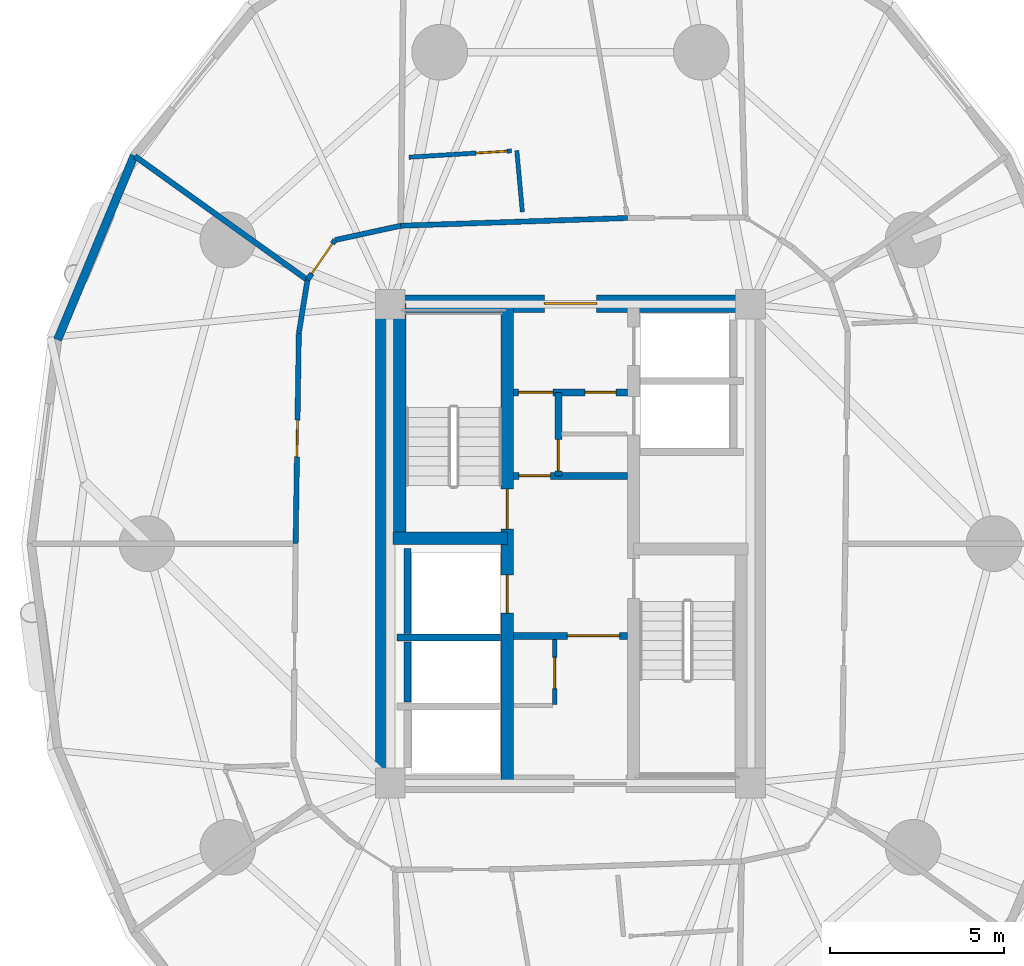
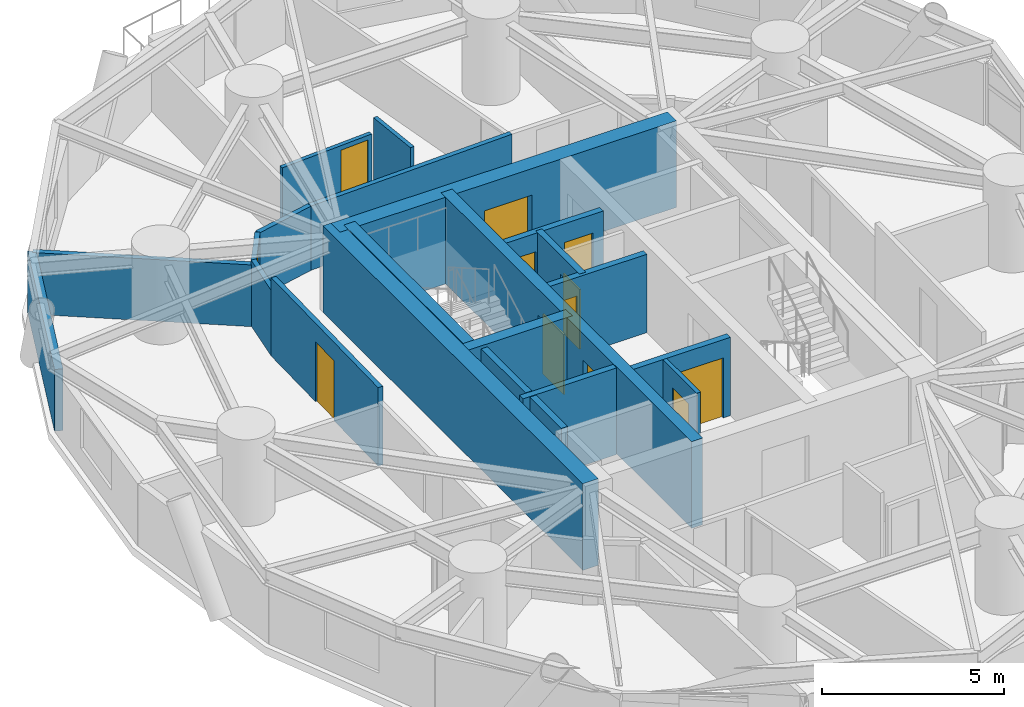
# One storey, part 10 of 19: 22 walls, 12 doors, 12 openings.
"""IFC4 building model written with IfcOpenShell, lengths in metres."""

from ifc_helpers import new_model, si_unit, direction, frame, frame_2d, origin, place, context, subcontext, project, spatial, rectangle, extrude, source, transform, mapped, material, layer, layer_set, type_object, element, fill, save


model = new_model("IFC4")

# Units and contexts
model_context = context("Model", 3, precision=1e-05, world=origin(), true_north=direction((0.0, 1.0)))
body_context = subcontext(model_context, "Body", "Model", "MODEL_VIEW")
ifc_project = project(units=[si_unit("LENGTHUNIT", "METRE"), si_unit("AREAUNIT", "SQUARE_METRE"), si_unit("VOLUMEUNIT", "CUBIC_METRE"), si_unit("PLANEANGLEUNIT", "RADIAN"), si_unit("MASSUNIT", "GRAM", prefix="KILO")], contexts=[model_context])

# Site, building, storey
site_placement = place(None, origin())
site = spatial("IfcSite", under=ifc_project, at=site_placement, CompositionType="ELEMENT")
building_placement = place(site_placement, origin())
building = spatial("IfcBuilding", under=site, at=building_placement, Name="Cununo Teusaquillo Station Towers", CompositionType="ELEMENT")
storey_placement = place(building_placement, frame((0.0, 0.0, 33.639892578125)))
storey = spatial("IfcBuildingStorey", under=building, at=storey_placement, Name="L09", CompositionType="ELEMENT", Elevation=33.639892578125)

# Walls
ifc_material_1 = material(Name="Concrete C50/60", Category="concrete")
ifc_layer_1 = layer(ifc_material_1, 0.199951171875)
ifc_layer_set_1 = layer_set([ifc_layer_1], Name="Concrete C50/60")
wall_type_1 = type_object("IfcWallType", Name="WL-CORE-200", PredefinedType="SHEAR", material=ifc_layer_set_1)
wall_1_placement = place(storey_placement, frame((11.52001953125, 21.800048828125, 0.0), z_axis=(0.0, 0.0, 1.0), x_axis=(1.0, 0.0, 0.0)))
element("IfcWall", 1, at=wall_1_placement, inside=storey, type_object=wall_type_1, Name="L09 Tower A Firefighting Lift Shaft South Shear Wall", PredefinedType="SHEAR", context=body_context, shape_type="SweptSolid", body=[
    extrude(rectangle(XDim=2.969970703125, YDim=0.199951171875, at=frame_2d((1.48486328125, 0.0))), origin(), (0.0, 0.0, 1.0), 2.91015625),
])
wall_2_placement = place(storey_placement, frame((11.820068359375, 21.919921875, 0.0), z_axis=(0.0, 0.0, 1.0), x_axis=(0.0, 1.0, 0.0)))
element("IfcWall", 2, at=wall_2_placement, inside=storey, type_object=wall_type_1, Name="L09 Tower A Firefighting Lift Shaft Rear Shear Wall", PredefinedType="SHEAR", context=body_context, shape_type="SweptSolid", body=[
    extrude(rectangle(XDim=2.440185546875, YDim=0.199951171875, at=frame_2d((1.22021484375, 0.0))), origin(), (0.0, 0.0, 1.0), 2.91015625),
])
wall_3_placement = place(storey_placement, frame((11.820068359375, 19.945068359375, 0.0), z_axis=(0.0, 0.0, 1.0), x_axis=(0.0, 1.0, 0.0)))
element("IfcWall", 3, at=wall_3_placement, inside=storey, type_object=wall_type_1, Name="L09 Tower A High-Rise Lift 2 Shaft Rear Shear Wall", PredefinedType="SHEAR", context=body_context, shape_type="SweptSolid", body=[
    extrude(rectangle(XDim=1.73486328125, YDim=0.199951171875, at=frame_2d((0.867431640625, 0.0))), origin(), (0.0, 0.0, 1.0), 2.91015625),
])

# Wall, openings, doors
ifc_material_2 = material(Name="Concrete C50/60", Category="concrete")
ifc_layer_2 = layer(ifc_material_2, 0.35009765625)
ifc_layer_set_2 = layer_set([ifc_layer_2], Name="Concrete C50/60")
wall_type_2 = type_object("IfcWallType", Name="WL-CORE-350", PredefinedType="SHEAR", material=ifc_layer_set_2)
wall_4_placement = place(storey_placement, frame((14.68505859375, 17.60009765625, 0.0), z_axis=(0.0, 0.0, 1.0), x_axis=(0.0, 1.0, 0.0)))
wall_4 = element("IfcWall", 4, at=wall_4_placement, inside=storey, type_object=wall_type_2, Name="L09 Tower A Core Shear Wall IW", PredefinedType="SHEAR", context=body_context, shape_type="SweptSolid", body=[
    extrude(rectangle(XDim=13.7998046875, YDim=0.35009765625, at=frame_2d((6.89990234375, 0.0))), origin(), (0.0, 0.0, 1.0), 2.91015625),
])
shared_shape_1 = source(origin(), body_context, "Body", "SweptSolid", [
    extrude(rectangle(XDim=1.10009765625, YDim=2.014892578125, at=frame_2d((0.550048828125, 1.00732421875))), frame((0.0, 0.18505859375, 0.0), z_axis=(0.0, -1.0, 0.0), x_axis=(1.0, 0.0, 0.0)), (0.0, 0.0, 1.0), 0.3701171875),
])
opening_1_placement = place(wall_4_placement, frame((4.89990234375, 0.0, 0.0)))
opening_1 = element("IfcOpeningElement", 5, at=opening_1_placement, cuts=wall_4, Name="Opening LD-01", PredefinedType="OPENING", context=body_context, shape_type="MappedRepresentation", body=[
    mapped(shared_shape_1, transform((0.0, 0.0, 0.0), x_axis=(1.0, 0.0, 0.0), y_axis=(0.0, 1.0, 0.0), z_axis=(0.0, 0.0, 1.0), scale=1.0)),
])
shared_shape_2 = source(origin(), body_context, "Body", "SweptSolid", [
    extrude(rectangle(XDim=1.14990234375, YDim=2.02001953125, at=frame_2d((0.574951171875, 1.010009765625))), frame((0.0, 0.18505859375, 0.0), z_axis=(0.0, -1.0, 0.0), x_axis=(1.0, 0.0, 0.0)), (0.0, 0.0, 1.0), 0.3701171875),
])
opening_2_placement = place(wall_4_placement, frame((7.320068359375, 0.0, 0.0)))
opening_2 = element("IfcOpeningElement", 6, at=opening_2_placement, cuts=wall_4, Name="Opening D-ST1", PredefinedType="OPENING", context=body_context, shape_type="MappedRepresentation", body=[
    mapped(shared_shape_2, transform((0.0, 0.0, 0.0), x_axis=(1.0, 0.0, 0.0), y_axis=(0.0, 1.0, 0.0), z_axis=(0.0, 0.0, 1.0), scale=1.0)),
])
ifc_material_3 = material(Name="Galvanised fire-rated hollow steel door assembly", Category="steel")
door_type_1 = type_object("IfcDoorType", Name="DR-LIFT-1100", OperationType="SLIDING_TO_LEFT", PredefinedType="DOOR", material=ifc_material_3)
shared_shape_3 = source(origin(), body_context, "Body", "SweptSolid", [
    extrude(rectangle(XDim=1.10009765625, YDim=2.014892578125, at=frame_2d((0.550048828125, 1.00732421875))), frame((0.0, 0.02490234375, 0.0), z_axis=(0.0, -1.0, 0.0), x_axis=(1.0, 0.0, 0.0)), (0.0, 0.0, 1.0), 0.050048828125),
])
door_1_placement = place(opening_1_placement, origin())
door_1 = element("IfcDoor", 7, at=door_1_placement, inside=storey, type_object=door_type_1, Name="L09 Lift FL-T1 Sliding Landing Door", OperationType="SLIDING_TO_RIGHT", OverallHeight=2.014892578125, OverallWidth=1.10009765625, PredefinedType="DOOR", context=body_context, shape_type="MappedRepresentation", body=[
    mapped(shared_shape_3, transform((0.0, 0.0, 0.0), x_axis=(1.0, 0.0, 0.0), y_axis=(0.0, 1.0, 0.0), z_axis=(0.0, 0.0, 1.0), scale=1.0)),
])
fill(opening_1, door_1)
ifc_material_4 = material(Name="Galvanised fire-rated hollow steel door assembly", Category="steel")
door_type_2 = type_object("IfcDoorType", Name="DR-STAIR-1150", OperationType="NOTDEFINED", PredefinedType="DOOR", material=ifc_material_4)
shared_shape_4 = source(origin(), body_context, "Body", "SweptSolid", [
    extrude(rectangle(XDim=1.14990234375, YDim=2.02001953125, at=frame_2d((0.574951171875, 1.010009765625))), frame((0.0, 0.02490234375, 0.0), z_axis=(0.0, -1.0, 0.0), x_axis=(1.0, 0.0, 0.0)), (0.0, 0.0, 1.0), 0.050048828125),
])
door_2_placement = place(opening_2_placement, origin())
door_2 = element("IfcDoor", 8, at=door_2_placement, inside=storey, type_object=door_type_2, Name="L09 Tower A Exit Stair 1 Fire Door", OperationType="SINGLE_SWING_RIGHT", OverallHeight=2.02001953125, OverallWidth=1.14990234375, PredefinedType="DOOR", context=body_context, shape_type="MappedRepresentation", body=[
    mapped(shared_shape_4, transform((0.0, 0.0, 0.0), x_axis=(1.0, 0.0, 0.0), y_axis=(0.0, 1.0, 0.0), z_axis=(0.0, 0.0, 1.0), scale=1.0)),
])
fill(opening_2, door_2)

# Walls
wall_5_placement = place(storey_placement, frame((11.594970703125, 24.655029296875, 0.0), z_axis=(0.0, 0.0, 1.0), x_axis=(0.0, 1.0, 0.0)))
element("IfcWall", 9, at=wall_5_placement, inside=storey, type_object=wall_type_2, Name="L09 Tower A Core Shear Wall ST1W", PredefinedType="SHEAR", context=body_context, shape_type="SweptSolid", body=[
    extrude(rectangle(XDim=6.744873046875, YDim=0.35009765625, at=frame_2d((3.37255859375, 0.0))), origin(), (0.0, 0.0, 1.0), 2.91015625),
])
wall_6_placement = place(storey_placement, frame((11.39990234375, 24.655029296875, 0.0), z_axis=(0.0, 0.0, 1.0), x_axis=(1.0, 0.0, 0.0)))
element("IfcWall", 10, at=wall_6_placement, inside=storey, type_object=wall_type_2, Name="L09 Tower A Core Shear Wall ST1S", PredefinedType="SHEAR", context=body_context, shape_type="SweptSolid", body=[
    extrude(rectangle(XDim=3.28515625, YDim=0.35009765625, at=frame_2d((1.642578125, 0.0))), origin(), (0.0, 0.0, 1.0), 2.91015625),
])
ifc_material_5 = material(Name="Concrete C60/75", Category="concrete")
ifc_layer_3 = layer(ifc_material_5, 0.5)
ifc_layer_set_3 = layer_set([ifc_layer_3], Name="Concrete C60/75")
wall_type_3 = type_object("IfcWallType", Name="WL-CORE-500", PredefinedType="SHEAR", material=ifc_layer_set_3)
wall_7_placement = place(storey_placement, frame((11.14990234375, 17.35009765625, 0.0), z_axis=(0.0, 0.0, 1.0), x_axis=(0.0, 1.0, 0.0)))
element("IfcWall", 11, at=wall_7_placement, inside=storey, type_object=wall_type_3, Name="L09 Tower A Core Shear Wall W", PredefinedType="SHEAR", context=body_context, shape_type="SweptSolid", body=[
    extrude(rectangle(XDim=14.2998046875, YDim=0.5, at=frame_2d((7.14990234375, 0.0))), origin(), (0.0, 0.0, 1.0), 2.91015625),
])

# Wall, opening, door
wall_8_placement = place(storey_placement, frame((11.14990234375, 31.39990234375, 0.0), z_axis=(0.0, 0.0, 1.0), x_axis=(1.0, 0.0, 0.0)))
wall_8 = element("IfcWall", 12, at=wall_8_placement, inside=storey, type_object=wall_type_3, Name="L09 Tower A Core Shear Wall N", PredefinedType="SHEAR", context=body_context, shape_type="SweptSolid", body=[
    extrude(rectangle(XDim=10.7001953125, YDim=0.5, at=frame_2d((5.35009765625, 0.0))), origin(), (0.0, 0.0, 1.0), 2.91015625),
])
shared_shape_5 = source(origin(), body_context, "Body", "SweptSolid", [
    extrude(rectangle(XDim=1.5, YDim=2.02001953125, at=frame_2d((0.75, 1.010009765625))), frame((0.0, 0.260009765625, 0.0), z_axis=(0.0, -1.0, 0.0), x_axis=(1.0, 0.0, 0.0)), (0.0, 0.0, 1.0), 0.52001953125),
])
opening_3_placement = place(wall_8_placement, frame((4.60009765625, 0.0, 0.0)))
opening_3 = element("IfcOpeningElement", 13, at=opening_3_placement, cuts=wall_8, Name="Opening D-LB1", PredefinedType="OPENING", context=body_context, shape_type="MappedRepresentation", body=[
    mapped(shared_shape_5, transform((0.0, 0.0, 0.0), x_axis=(1.0, 0.0, 0.0), y_axis=(0.0, 1.0, 0.0), z_axis=(0.0, 0.0, 1.0), scale=1.0)),
])
ifc_material_6 = material(Name="Galvanised fire-rated hollow steel door assembly", Category="steel")
door_type_3 = type_object("IfcDoorType", Name="DR-LOBBY-1500", OperationType="DOUBLE_DOOR_SINGLE_SWING", PredefinedType="DOOR", material=ifc_material_6)
shared_shape_6 = source(origin(), body_context, "Body", "SweptSolid", [
    extrude(rectangle(XDim=1.5, YDim=2.02001953125, at=frame_2d((0.75, 1.010009765625))), frame((0.0, 0.02490234375, 0.0), z_axis=(0.0, -1.0, 0.0), x_axis=(1.0, 0.0, 0.0)), (0.0, 0.0, 1.0), 0.050048828125),
])
door_3_placement = place(opening_3_placement, origin())
door_3 = element("IfcDoor", 14, at=door_3_placement, inside=storey, type_object=door_type_3, Name="L09 Tower A North Core Lift Lobby Door", OperationType="DOUBLE_DOOR_SINGLE_SWING", OverallHeight=2.02001953125, OverallWidth=1.5, PredefinedType="DOOR", context=body_context, shape_type="MappedRepresentation", body=[
    mapped(shared_shape_6, transform((0.0, 0.0, 0.0), x_axis=(1.0, 0.0, 0.0), y_axis=(0.0, 1.0, 0.0), z_axis=(0.0, 0.0, 1.0), scale=1.0)),
])
fill(opening_3, door_3)

# Wall
ifc_material_7 = material(Name="Precast concrete C40/50", Category="concrete")
ifc_layer_4 = layer(ifc_material_7, 0.239990234375)
ifc_layer_set_4 = layer_set([ifc_layer_4], Name="Precast concrete C40/50")
wall_type_4 = type_object("IfcWallType", Name="WL-EXT-240", PredefinedType="SOLIDWALL", material=ifc_layer_set_4)
wall_9_placement = place(storey_placement, frame((1.759521484375, 30.362060546875, 0.0), z_axis=(0.0, 0.0, 1.0), x_axis=(0.38430970593, 0.923204229804, 0.0)))
element("IfcWall", 15, at=wall_9_placement, inside=storey, type_object=wall_type_4, Name="L09 Tower A Exterior Facade Wall C08", PredefinedType="SOLIDWALL", context=body_context, shape_type="SweptSolid", body=[
    extrude(rectangle(XDim=5.728271484375, YDim=0.239990234375, at=frame_2d((2.8642578125, 0.0))), origin(), (0.0, 0.0, 1.0), 2.072998046875),
])

# Wall, opening, door
ifc_material_8 = material(Name="Fire-rated gypsum plasterboard partition assembly", Category="gypsum")
ifc_layer_5 = layer(ifc_material_8, 0.125)
ifc_layer_set_5 = layer_set([ifc_layer_5], Name="Fire-rated gypsum plasterboard partition assembly")
wall_type_5 = type_object("IfcWallType", Name="WL-PART-125", PredefinedType="PARTITIONING", material=ifc_layer_set_5)
wall_10_placement = place(storey_placement, frame((16.050048828125, 19.8798828125, 0.0), z_axis=(0.0, 0.0, 1.0), x_axis=(0.0, 1.0, 0.0)))
wall_10 = element("IfcWall", 16, at=wall_10_placement, inside=storey, type_object=wall_type_5, Name="L09 Tower A North-West Lobby Store East Wall", PredefinedType="PARTITIONING", context=body_context, shape_type="SweptSolid", body=[
    extrude(rectangle(XDim=1.8701171875, YDim=0.125, at=frame_2d((0.93505859375, 0.0))), origin(), (0.0, 0.0, 1.0), 2.635009765625),
])
shared_shape_7 = source(origin(), body_context, "Body", "SweptSolid", [
    extrude(rectangle(XDim=0.89990234375, YDim=2.0048828125, at=frame_2d((0.449951171875, 1.00244140625))), frame((0.0, 0.072509765625, 0.0), z_axis=(0.0, -1.0, 0.0), x_axis=(1.0, 0.0, 0.0)), (0.0, 0.0, 1.0), 0.14501953125),
])
opening_4_placement = place(wall_10_placement, frame((0.449951171875, 0.0, 0.0)))
opening_4 = element("IfcOpeningElement", 17, at=opening_4_placement, cuts=wall_10, Name="Opening D-SR1", PredefinedType="OPENING", context=body_context, shape_type="MappedRepresentation", body=[
    mapped(shared_shape_7, transform((0.0, 0.0, 0.0), x_axis=(1.0, 0.0, 0.0), y_axis=(0.0, 1.0, 0.0), z_axis=(0.0, 0.0, 1.0), scale=1.0)),
])
ifc_material_9 = material(Name="Galvanised fire-rated hollow steel door assembly", Category="steel")
door_type_4 = type_object("IfcDoorType", Name="DR-STORE-900", OperationType="NOTDEFINED", PredefinedType="DOOR", material=ifc_material_9)
shared_shape_8 = source(origin(), body_context, "Body", "SweptSolid", [
    extrude(rectangle(XDim=0.89990234375, YDim=2.0048828125, at=frame_2d((0.449951171875, 1.00244140625))), frame((0.0, 0.02490234375, 0.0), z_axis=(0.0, -1.0, 0.0), x_axis=(1.0, 0.0, 0.0)), (0.0, 0.0, 1.0), 0.050048828125),
])
door_4_placement = place(opening_4_placement, origin())
door_4 = element("IfcDoor", 18, at=door_4_placement, inside=storey, type_object=door_type_4, Name="L09 Tower A South Lobby Data Store Door", OperationType="SINGLE_SWING_RIGHT", OverallHeight=2.0048828125, OverallWidth=0.89990234375, PredefinedType="DOOR", context=body_context, shape_type="MappedRepresentation", body=[
    mapped(shared_shape_8, transform((0.0, 0.0, 0.0), x_axis=(1.0, 0.0, 0.0), y_axis=(0.0, 1.0, 0.0), z_axis=(0.0, 0.0, 1.0), scale=1.0)),
])
fill(opening_4, door_4)

# Wall
wall_11_placement = place(storey_placement, frame((15.116943359375, 34.03515625, 0.0), z_axis=(0.0, 0.0, 1.0), x_axis=(-0.090498430303, 0.995896598103, 0.0)))
element("IfcWall", 19, at=wall_11_placement, inside=storey, type_object=wall_type_5, Name="L09 Tower A S03 En-suite Side Wall", PredefinedType="PARTITIONING", context=body_context, shape_type="SweptSolid", body=[
    extrude(rectangle(XDim=1.769775390625, YDim=0.125, at=frame_2d((0.884765625, 0.0))), origin(), (0.0, 0.0, 1.0), 2.635009765625),
])

# Wall, opening, door
wall_12_placement = place(storey_placement, frame((14.80322265625, 35.7880859375, 0.0), z_axis=(0.0, 0.0, 1.0), x_axis=(-0.998116078946, -0.06135383403, 0.0)))
wall_12 = element("IfcWall", 20, at=wall_12_placement, inside=storey, type_object=wall_type_5, Name="L09 Tower A S03 En-suite Back Wall", PredefinedType="PARTITIONING", context=body_context, shape_type="SweptSolid", body=[
    extrude(rectangle(XDim=2.95263671875, YDim=0.125, at=frame_2d((1.476318359375, 0.0))), origin(), (0.0, 0.0, 1.0), 2.1591796875),
])
opening_5_placement = place(wall_12_placement, frame((0.1201171875, 0.0, 0.0)))
opening_5 = element("IfcOpeningElement", 21, at=opening_5_placement, cuts=wall_12, Name="Opening D-IN1", PredefinedType="OPENING", context=body_context, shape_type="MappedRepresentation", body=[
    mapped(shared_shape_7, transform((0.0, 0.0, 0.0), x_axis=(1.0, 0.0, 0.0), y_axis=(0.0, 1.0, 0.0), z_axis=(0.0, 0.0, 1.0), scale=1.0)),
])
ifc_material_10 = material(Name="Acoustic solid-core hardwood leaf assembly", Category="wood")
door_type_5 = type_object("IfcDoorType", Name="DR-INT-900", OperationType="NOTDEFINED", PredefinedType="DOOR", material=ifc_material_10)
door_5_placement = place(opening_5_placement, origin())
door_5 = element("IfcDoor", 22, at=door_5_placement, inside=storey, type_object=door_type_5, Name="L09 Tower A S03 En-suite Bathroom Door", OperationType="SINGLE_SWING_RIGHT", OverallHeight=2.0048828125, OverallWidth=0.89990234375, PredefinedType="DOOR", context=body_context, shape_type="MappedRepresentation", body=[
    mapped(shared_shape_8, transform((0.0, 0.0, 0.0), x_axis=(1.0, 0.0, 0.0), y_axis=(0.0, 1.0, 0.0), z_axis=(0.0, 0.0, 1.0), scale=1.0)),
])
fill(opening_5, door_5)

# Walls
ifc_material_11 = material(Name="Fire-rated gypsum plasterboard partition assembly", Category="gypsum")
ifc_layer_6 = layer(ifc_material_11, 0.14990234375)
ifc_layer_set_6 = layer_set([ifc_layer_6], Name="Fire-rated gypsum plasterboard partition assembly")
wall_type_6 = type_object("IfcWallType", Name="WL-PART-150", PredefinedType="PARTITIONING", material=ifc_layer_set_6)
wall_13_placement = place(storey_placement, frame((18.142822265625, 33.859619140625, 0.0), z_axis=(0.0, 0.0, 1.0), x_axis=(-0.999419208319, -0.034077060363, 0.0)))
element("IfcWall", 23, at=wall_13_placement, inside=storey, type_object=wall_type_6, Name="L09 Tower A Corridor Ring Wall C05", PredefinedType="PARTITIONING", context=body_context, shape_type="SweptSolid", body=[
    extrude(rectangle(XDim=6.52685546875, YDim=0.14990234375, at=frame_2d((3.263427734375, 0.0))), origin(), (0.0, 0.0, 1.0), 2.1591796875),
])
wall_14_placement = place(storey_placement, frame((11.619873046875, 33.63720703125, 0.0), z_axis=(0.0, 0.0, 1.0), x_axis=(-0.97702579435, -0.213121085711, 0.0)))
element("IfcWall", 24, at=wall_14_placement, inside=storey, type_object=wall_type_6, Name="L09 Tower A Corridor Ring Wall C06", PredefinedType="PARTITIONING", context=body_context, shape_type="SweptSolid", body=[
    extrude(rectangle(XDim=1.934814453125, YDim=0.14990234375, at=frame_2d((0.96728515625, 0.0))), origin(), (0.0, 0.0, 1.0), 2.1591796875),
])

# Wall, opening, door
wall_15_placement = place(storey_placement, frame((9.7294921875, 33.224853515625, 0.0), z_axis=(0.0, 0.0, 1.0), x_axis=(-0.567183649484, -0.82359134755, 0.0)))
wall_15 = element("IfcWall", 25, at=wall_15_placement, inside=storey, type_object=wall_type_6, Name="L09 Tower A Corridor Ring Wall C07", PredefinedType="PARTITIONING", context=body_context, shape_type="SweptSolid", body=[
    extrude(rectangle(XDim=1.39208984375, YDim=0.14990234375, at=frame_2d((0.696044921875, 0.0))), origin(), (0.0, 0.0, 1.0), 2.1591796875),
])
shared_shape_9 = source(origin(), body_context, "Body", "SweptSolid", [
    extrude(rectangle(XDim=1.050048828125, YDim=2.014892578125, at=frame_2d((0.52490234375, 1.00732421875))), frame((0.0, 0.0849609375, 0.0), z_axis=(0.0, -1.0, 0.0), x_axis=(1.0, 0.0, 0.0)), (0.0, 0.0, 1.0), 0.169921875),
])
opening_6_placement = place(wall_15_placement, frame((0.1201171875, 0.0, 0.0)))
opening_6 = element("IfcOpeningElement", 26, at=opening_6_placement, cuts=wall_15, Name="Opening D-SU1", PredefinedType="OPENING", context=body_context, shape_type="MappedRepresentation", body=[
    mapped(shared_shape_9, transform((0.0, 0.0, 0.0), x_axis=(1.0, 0.0, 0.0), y_axis=(0.0, 1.0, 0.0), z_axis=(0.0, 0.0, 1.0), scale=1.0)),
])
ifc_material_12 = material(Name="Acoustic solid-core hardwood leaf assembly", Category="wood")
door_type_6 = type_object("IfcDoorType", Name="DR-SUITE-1050", OperationType="NOTDEFINED", PredefinedType="DOOR", material=ifc_material_12)
shared_shape_10 = source(origin(), body_context, "Body", "SweptSolid", [
    extrude(rectangle(XDim=1.050048828125, YDim=2.014892578125, at=frame_2d((0.52490234375, 1.00732421875))), frame((0.0, 0.02490234375, 0.0), z_axis=(0.0, -1.0, 0.0), x_axis=(1.0, 0.0, 0.0)), (0.0, 0.0, 1.0), 0.050048828125),
])
door_6_placement = place(opening_6_placement, origin())
door_6 = element("IfcDoor", 27, at=door_6_placement, inside=storey, type_object=door_type_6, Name="L09 Tower A Hotel Executive Meeting Room Entrance Door", OperationType="SINGLE_SWING_LEFT", OverallHeight=2.014892578125, OverallWidth=1.050048828125, PredefinedType="DOOR", context=body_context, shape_type="MappedRepresentation", body=[
    mapped(shared_shape_10, transform((0.0, 0.0, 0.0), x_axis=(1.0, 0.0, 0.0), y_axis=(0.0, 1.0, 0.0), z_axis=(0.0, 0.0, 1.0), scale=1.0)),
])
fill(opening_6, door_6)

# Wall
wall_16_placement = place(storey_placement, frame((8.93994140625, 32.078369140625, 0.0), z_axis=(0.0, 0.0, 1.0), x_axis=(-0.159148467753, -0.98725466077, 0.0)))
element("IfcWall", 28, at=wall_16_placement, inside=storey, type_object=wall_type_6, Name="L09 Tower A Corridor Ring Wall C08", PredefinedType="PARTITIONING", context=body_context, shape_type="SweptSolid", body=[
    extrude(rectangle(XDim=1.553955078125, YDim=0.14990234375, at=frame_2d((0.77685546875, 0.0))), origin(), (0.0, 0.0, 1.0), 2.205078125),
])

# Wall, opening, door
wall_17_placement = place(storey_placement, frame((8.692626953125, 30.544189453125, 0.0), z_axis=(0.0, 0.0, 1.0), x_axis=(-0.015307007986, -0.99988284089, 0.0)))
wall_17 = element("IfcWall", 29, at=wall_17_placement, inside=storey, type_object=wall_type_6, Name="L09 Tower A Corridor Ring Wall C09", PredefinedType="PARTITIONING", context=body_context, shape_type="SweptSolid", body=[
    extrude(rectangle(XDim=6.044921875, YDim=0.14990234375, at=frame_2d((3.0224609375, 0.0))), origin(), (0.0, 0.0, 1.0), 2.635009765625),
])
opening_7_placement = place(wall_17_placement, frame((2.497314453125, 0.0, 0.0)))
opening_7 = element("IfcOpeningElement", 30, at=opening_7_placement, cuts=wall_17, Name="Opening D-SU1", PredefinedType="OPENING", context=body_context, shape_type="MappedRepresentation", body=[
    mapped(shared_shape_9, transform((0.0, 0.0, 0.0), x_axis=(1.0, 0.0, 0.0), y_axis=(0.0, 1.0, 0.0), z_axis=(0.0, 0.0, 1.0), scale=1.0)),
])
door_7_placement = place(opening_7_placement, origin())
door_7 = element("IfcDoor", 31, at=door_7_placement, inside=storey, type_object=door_type_6, Name="L09 Tower A Hotel Wellness & Fitness Salon Entrance Door", OperationType="SINGLE_SWING_RIGHT", OverallHeight=2.014892578125, OverallWidth=1.050048828125, PredefinedType="DOOR", context=body_context, shape_type="MappedRepresentation", body=[
    mapped(shared_shape_10, transform((0.0, 0.0, 0.0), x_axis=(1.0, 0.0, 0.0), y_axis=(0.0, 1.0, 0.0), z_axis=(0.0, 0.0, 1.0), scale=1.0)),
])
fill(opening_7, door_7)

# Wall
ifc_material_13 = material(Name="Fire-rated gypsum plasterboard partition assembly", Category="gypsum")
ifc_layer_7 = layer(ifc_material_13, 0.159912109375)
ifc_layer_set_7 = layer_set([ifc_layer_7], Name="Fire-rated gypsum plasterboard partition assembly")
wall_type_7 = type_object("IfcWallType", Name="WL-PART-160", PredefinedType="PARTITIONING", material=ifc_layer_set_7)
wall_18_placement = place(storey_placement, frame((8.93994140625, 32.078369140625, 0.0), z_axis=(0.0, 0.0, 1.0), x_axis=(-0.812546070691, 0.582896974606, 0.0)))
element("IfcWall", 32, at=wall_18_placement, inside=storey, type_object=wall_type_7, Name="L09 Tower A Radial Suite Partition R05", PredefinedType="PARTITIONING", context=body_context, shape_type="SweptSolid", body=[
    extrude(rectangle(XDim=6.107421875, YDim=0.159912109375, at=frame_2d((3.0537109375, 0.0))), origin(), (0.0, 0.0, 1.0), 2.072998046875),
])

# Wall, opening, door
ifc_material_14 = material(Name="Fire-rated gypsum plasterboard partition assembly", Category="gypsum")
ifc_layer_8 = layer(ifc_material_14, 0.199951171875)
ifc_layer_set_8 = layer_set([ifc_layer_8], Name="Fire-rated gypsum plasterboard partition assembly")
wall_type_8 = type_object("IfcWallType", Name="WL-PART-200", PredefinedType="PARTITIONING", material=ifc_layer_set_8)
wall_19_placement = place(storey_placement, frame((14.860107421875, 21.85009765625, 0.0), z_axis=(0.0, 0.0, 1.0), x_axis=(1.0, 0.0, 0.0)))
wall_19 = element("IfcWall", 33, at=wall_19_placement, inside=storey, type_object=wall_type_8, Name="L09 Tower A Firefighting Lift Lobby South Fire Wall", PredefinedType="PARTITIONING", context=body_context, shape_type="SweptSolid", body=[
    extrude(rectangle(XDim=3.27978515625, YDim=0.199951171875, at=frame_2d((1.639892578125, 0.0))), origin(), (0.0, 0.0, 1.0), 2.635009765625),
])
shared_shape_11 = source(origin(), body_context, "Body", "SweptSolid", [
    extrude(rectangle(XDim=1.5, YDim=2.02001953125, at=frame_2d((0.75, 1.010009765625))), frame((0.0, 0.10986328125, 0.0), z_axis=(0.0, -1.0, 0.0), x_axis=(1.0, 0.0, 0.0)), (0.0, 0.0, 1.0), 0.219970703125),
])
opening_8_placement = place(wall_19_placement, frame((1.550048828125, 0.0, 0.0)))
opening_8 = element("IfcOpeningElement", 34, at=opening_8_placement, cuts=wall_19, Name="Opening D-LB1", PredefinedType="OPENING", context=body_context, shape_type="MappedRepresentation", body=[
    mapped(shared_shape_11, transform((0.0, 0.0, 0.0), x_axis=(1.0, 0.0, 0.0), y_axis=(0.0, 1.0, 0.0), z_axis=(0.0, 0.0, 1.0), scale=1.0)),
])
door_8_placement = place(opening_8_placement, origin())
door_8 = element("IfcDoor", 35, at=door_8_placement, inside=storey, type_object=door_type_3, Name="L09 Tower A Firefighting Lift Lobby South Fire Door", OperationType="DOUBLE_DOOR_SINGLE_SWING", OverallHeight=2.02001953125, OverallWidth=1.5, PredefinedType="DOOR", context=body_context, shape_type="MappedRepresentation", body=[
    mapped(shared_shape_6, transform((0.0, 0.0, 0.0), x_axis=(1.0, 0.0, 0.0), y_axis=(0.0, 1.0, 0.0), z_axis=(0.0, 0.0, 1.0), scale=1.0)),
])
fill(opening_8, door_8)

wall_20_placement = place(storey_placement, frame((14.860107421875, 26.449951171875, 0.0), z_axis=(0.0, 0.0, 1.0), x_axis=(1.0, 0.0, 0.0)))
wall_20 = element("IfcWall", 36, at=wall_20_placement, inside=storey, type_object=wall_type_8, Name="L09 Tower A Firefighting Lift Lobby North Fire Wall", PredefinedType="PARTITIONING", context=body_context, shape_type="SweptSolid", body=[
    extrude(rectangle(XDim=3.27978515625, YDim=0.199951171875, at=frame_2d((1.639892578125, 0.0))), origin(), (0.0, 0.0, 1.0), 2.635009765625),
])
shared_shape_12 = source(origin(), body_context, "Body", "SweptSolid", [
    extrude(rectangle(XDim=0.89990234375, YDim=2.0048828125, at=frame_2d((0.449951171875, 1.00244140625))), frame((0.0, 0.10986328125, 0.0), z_axis=(0.0, -1.0, 0.0), x_axis=(1.0, 0.0, 0.0)), (0.0, 0.0, 1.0), 0.219970703125),
])
opening_9_placement = place(wall_20_placement, frame((0.159912109375, 0.0, 0.0)))
opening_9 = element("IfcOpeningElement", 37, at=opening_9_placement, cuts=wall_20, Name="Opening D-SR1", PredefinedType="OPENING", context=body_context, shape_type="MappedRepresentation", body=[
    mapped(shared_shape_12, transform((0.0, 0.0, 0.0), x_axis=(1.0, 0.0, 0.0), y_axis=(0.0, 1.0, 0.0), z_axis=(0.0, 0.0, 1.0), scale=1.0)),
])
door_9_placement = place(opening_9_placement, origin())
door_9 = element("IfcDoor", 38, at=door_9_placement, inside=storey, type_object=door_type_4, Name="L09 Tower A Stair 1 Protected Vestibule South Door", OperationType="SINGLE_SWING_RIGHT", OverallHeight=2.0048828125, OverallWidth=0.89990234375, PredefinedType="DOOR", context=body_context, shape_type="MappedRepresentation", body=[
    mapped(shared_shape_8, transform((0.0, 0.0, 0.0), x_axis=(1.0, 0.0, 0.0), y_axis=(0.0, 1.0, 0.0), z_axis=(0.0, 0.0, 1.0), scale=1.0)),
])
fill(opening_9, door_9)

wall_21_placement = place(storey_placement, frame((16.14990234375, 26.449951171875, 0.0), z_axis=(0.0, 0.0, 1.0), x_axis=(0.0, 1.0, 0.0)))
wall_21 = element("IfcWall", 39, at=wall_21_placement, inside=storey, type_object=wall_type_8, Name="L09 Tower A Stair 1 Vestibule Partition Wall", PredefinedType="PARTITIONING", context=body_context, shape_type="SweptSolid", body=[
    extrude(rectangle(XDim=2.400146484375, YDim=0.199951171875, at=frame_2d((1.2001953125, 0.0))), origin(), (0.0, 0.0, 1.0), 2.635009765625),
])
opening_10_placement = place(wall_21_placement, frame((0.139892578125, 0.0, 0.0)))
opening_10 = element("IfcOpeningElement", 40, at=opening_10_placement, cuts=wall_21, Name="Opening D-SR1", PredefinedType="OPENING", context=body_context, shape_type="MappedRepresentation", body=[
    mapped(shared_shape_12, transform((0.0, 0.0, 0.0), x_axis=(1.0, 0.0, 0.0), y_axis=(0.0, 1.0, 0.0), z_axis=(0.0, 0.0, 1.0), scale=1.0)),
])
door_10_placement = place(opening_10_placement, origin())
door_10 = element("IfcDoor", 41, at=door_10_placement, inside=storey, type_object=door_type_4, Name="L09 Tower A Core Linen Store Door", OperationType="SINGLE_SWING_LEFT", OverallHeight=2.0048828125, OverallWidth=0.89990234375, PredefinedType="DOOR", context=body_context, shape_type="MappedRepresentation", body=[
    mapped(shared_shape_8, transform((0.0, 0.0, 0.0), x_axis=(1.0, 0.0, 0.0), y_axis=(0.0, 1.0, 0.0), z_axis=(0.0, 0.0, 1.0), scale=1.0)),
])
fill(opening_10, door_10)

# Wall, openings, doors
wall_22_placement = place(storey_placement, frame((14.860107421875, 28.85009765625, 0.0), z_axis=(0.0, 0.0, 1.0), x_axis=(1.0, 0.0, 0.0)))
wall_22 = element("IfcWall", 42, at=wall_22_placement, inside=storey, type_object=wall_type_8, Name="L09 Tower A North Lift Lobby South Fire Wall", PredefinedType="PARTITIONING", context=body_context, shape_type="SweptSolid", body=[
    extrude(rectangle(XDim=3.27978515625, YDim=0.199951171875, at=frame_2d((1.639892578125, 0.0))), origin(), (0.0, 0.0, 1.0), 2.635009765625),
])
shared_shape_13 = source(origin(), body_context, "Body", "SweptSolid", [
    extrude(rectangle(XDim=1.0, YDim=2.014892578125, at=frame_2d((0.5, 1.00732421875))), frame((0.0, 0.10986328125, 0.0), z_axis=(0.0, -1.0, 0.0), x_axis=(1.0, 0.0, 0.0)), (0.0, 0.0, 1.0), 0.219970703125),
])
opening_11_placement = place(wall_22_placement, frame((0.139892578125, 0.0, 0.0)))
opening_11 = element("IfcOpeningElement", 43, at=opening_11_placement, cuts=wall_22, Name="Opening D-AC1", PredefinedType="OPENING", context=body_context, shape_type="MappedRepresentation", body=[
    mapped(shared_shape_13, transform((0.0, 0.0, 0.0), x_axis=(1.0, 0.0, 0.0), y_axis=(0.0, 1.0, 0.0), z_axis=(0.0, 0.0, 1.0), scale=1.0)),
])
opening_12_placement = place(wall_22_placement, frame((2.050048828125, 0.0, 0.0)))
opening_12 = element("IfcOpeningElement", 44, at=opening_12_placement, cuts=wall_22, Name="Opening D-SR1", PredefinedType="OPENING", context=body_context, shape_type="MappedRepresentation", body=[
    mapped(shared_shape_12, transform((0.0, 0.0, 0.0), x_axis=(1.0, 0.0, 0.0), y_axis=(0.0, 1.0, 0.0), z_axis=(0.0, 0.0, 1.0), scale=1.0)),
])
door_11_placement = place(opening_12_placement, origin())
door_11 = element("IfcDoor", 45, at=door_11_placement, inside=storey, type_object=door_type_4, Name="L09 Tower A Core Comms Room Door", OperationType="SINGLE_SWING_RIGHT", OverallHeight=2.0048828125, OverallWidth=0.89990234375, PredefinedType="DOOR", context=body_context, shape_type="MappedRepresentation", body=[
    mapped(shared_shape_8, transform((0.0, 0.0, 0.0), x_axis=(1.0, 0.0, 0.0), y_axis=(0.0, 1.0, 0.0), z_axis=(0.0, 0.0, 1.0), scale=1.0)),
])
fill(opening_12, door_11)
ifc_material_15 = material(Name="Acoustic solid-core hardwood leaf assembly", Category="wood")
door_type_7 = type_object("IfcDoorType", Name="DR-ACC-1000", OperationType="NOTDEFINED", PredefinedType="DOOR", material=ifc_material_15)
shared_shape_14 = source(origin(), body_context, "Body", "SweptSolid", [
    extrude(rectangle(XDim=1.0, YDim=2.014892578125, at=frame_2d((0.5, 1.00732421875))), frame((0.0, 0.02490234375, 0.0), z_axis=(0.0, -1.0, 0.0), x_axis=(1.0, 0.0, 0.0)), (0.0, 0.0, 1.0), 0.050048828125),
])
door_12_placement = place(opening_11_placement, origin())
door_12 = element("IfcDoor", 46, at=door_12_placement, inside=storey, type_object=door_type_7, Name="L09 Tower A North Lift Lobby to Stair 1 Vestibule Door", OperationType="SINGLE_SWING_LEFT", OverallHeight=2.014892578125, OverallWidth=1.0, PredefinedType="DOOR", context=body_context, shape_type="MappedRepresentation", body=[
    mapped(shared_shape_14, transform((0.0, 0.0, 0.0), x_axis=(1.0, 0.0, 0.0), y_axis=(0.0, 1.0, 0.0), z_axis=(0.0, 0.0, 1.0), scale=1.0)),
])
fill(opening_11, door_12)

save(model, "model.ifc")
